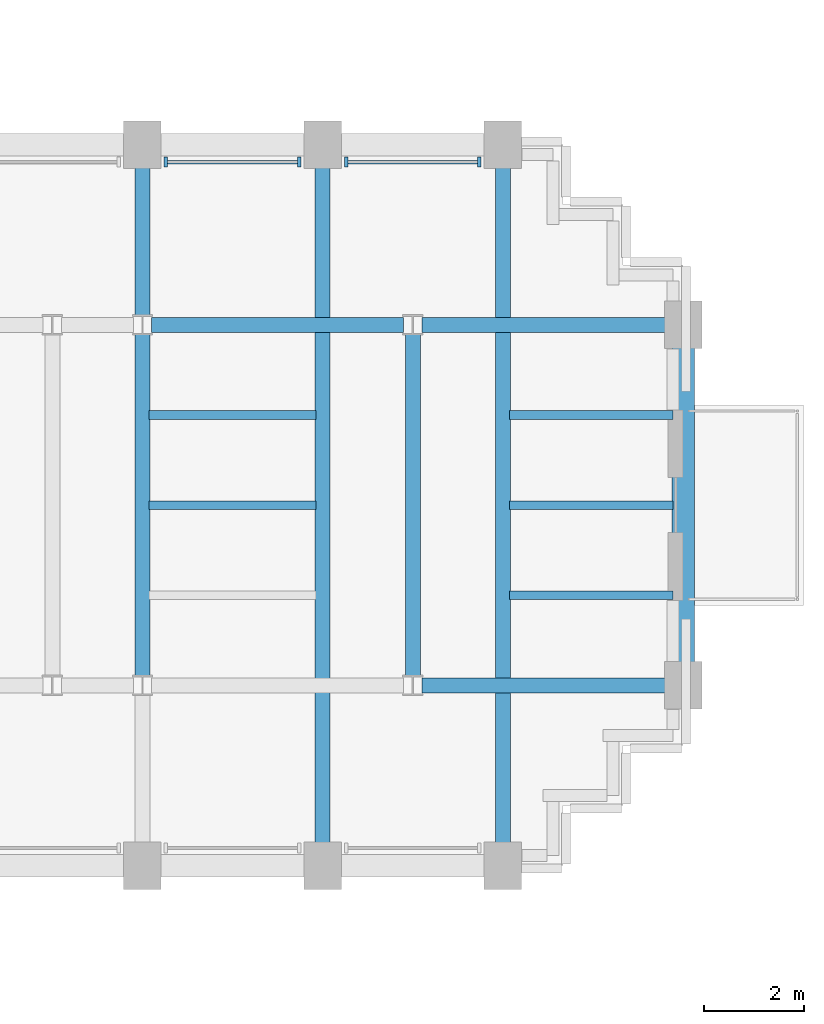
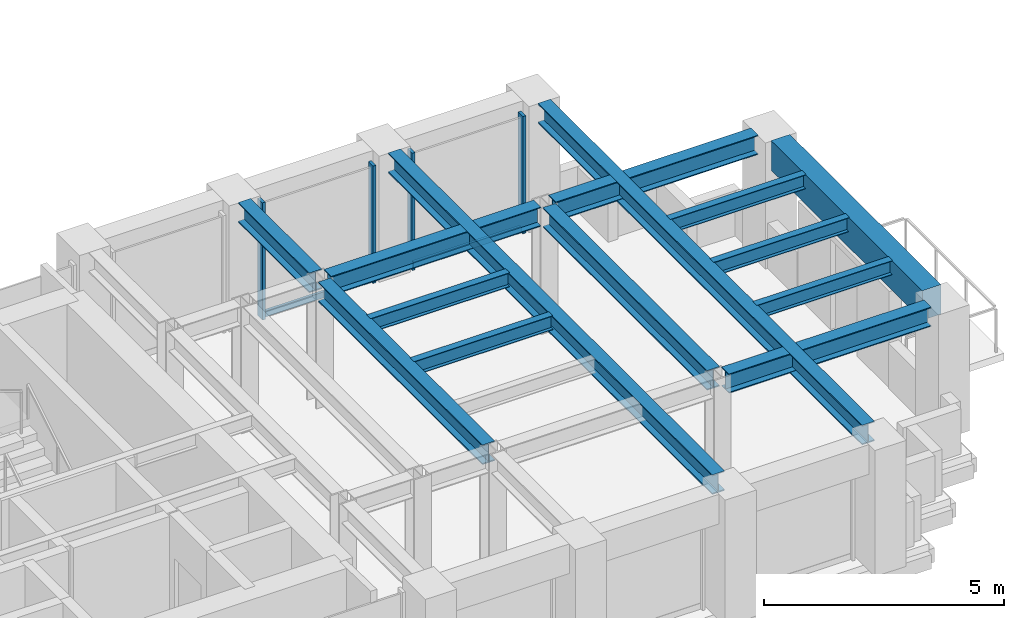
# One storey, part 6 of 15: 14 beams, 6 members, 2 elements without a shape of their own.
"""IFC4 building model written with IfcOpenShell, lengths in metres."""

from ifc_helpers import new_model, si_unit, direction, frame, origin, origin_2d, place, context, subcontext, project, spatial, rectangle, i_section, extrude, source, transform, mapped, material, material_profile, profile_set, type_object, element, aggregate, save


model = new_model("IFC4")

# Units and contexts
model_context = context("Model", 3, precision=1e-05, world=origin(), true_north=direction((0.0, 1.0)))
body_context = subcontext(model_context, "Body", "Model", "MODEL_VIEW")
ifc_project = project(units=[si_unit("LENGTHUNIT", "METRE"), si_unit("AREAUNIT", "SQUARE_METRE"), si_unit("VOLUMEUNIT", "CUBIC_METRE"), si_unit("PLANEANGLEUNIT", "RADIAN"), si_unit("MASSUNIT", "GRAM", prefix="KILO")], contexts=[model_context])

# Site, building, storey
site_placement = place(None, origin())
site = spatial("IfcSite", under=ifc_project, at=site_placement, CompositionType="ELEMENT")
building_placement = place(site_placement, origin())
building = spatial("IfcBuilding", under=site, at=building_placement, Name="Keilestroom Media Tower", CompositionType="ELEMENT")
storey_placement = place(building_placement, frame((0.0, 0.0, 40.800048828125)))
storey = spatial("IfcBuildingStorey", under=building, at=storey_placement, Name="L09", CompositionType="ELEMENT", Elevation=40.800048828125)

# Beams
ifc_material_1 = material(Name="Precast concrete C40/50", Category="concrete")
ifc_material_profile_1 = material_profile(ifc_material_1, rectangle(XDim=0.449951171875, YDim=0.75, at=origin_2d()), Name="PC 450x750")
ifc_profile_set_1 = profile_set([ifc_material_profile_1], Name="Precast concrete C40/50")
beam_type_1 = type_object("IfcBeamType", Name="Perimeter-Spandrel-Beam-PC-450x750", PredefinedType="SPANDREL", material=ifc_profile_set_1)
shared_shape_1 = source(origin(), body_context, "Body", "SweptSolid", [
    extrude(rectangle(XDim=0.449951171875, YDim=0.75, at=origin_2d()), origin(), (0.0, 0.0, 1.0), 6.2900390625),
])
beam_1_placement = place(storey_placement, frame((28.800048828125, -3.14501953125, 2.824951171875), z_axis=(0.0, 1.0, 0.0), x_axis=(-1.0, 0.0, 0.0)))
element("IfcBeam", 1, at=beam_1_placement, inside=storey, type_object=beam_type_1, Name="L09 Beam SPB-1 BM-L09-NS-086", PredefinedType="SPANDREL", context=body_context, shape_type="MappedRepresentation", body=[
    mapped(shared_shape_1, transform((0.0, 0.0, 0.0), x_axis=(1.0, 0.0, 0.0), y_axis=(0.0, 1.0, 0.0), z_axis=(0.0, 0.0, 1.0), scale=1.0)),
])
ifc_material_2 = material(Name="Steel S355", Category="steel")
ifc_material_profile_2 = material_profile(ifc_material_2, i_section(OverallWidth=0.300048828125, OverallDepth=0.5, WebThickness=0.012451171875, FlangeThickness=0.028076171875, at=origin_2d()), Name="HEB 500")
ifc_profile_set_2 = profile_set([ifc_material_profile_2], Name="Steel S355")
beam_type_2 = type_object("IfcBeamType", Name="Primary-Structural-Girder-HEB-500", PredefinedType="BEAM", material=ifc_profile_set_2)
shared_shape_2 = source(origin(), body_context, "Body", "SweptSolid", [
    extrude(i_section(OverallWidth=0.300048828125, OverallDepth=0.5, WebThickness=0.012451171875, FlangeThickness=0.028076171875, at=origin_2d()), origin(), (0.0, 0.0, 1.0), 13.490234375),
])
for number, where, z_axis, x_axis, name in (
    (2, (21.60009765625, -6.7451171875, 2.949951171875), (0.0, 1.0, 0.0), (-1.0, 0.0, 0.0), "L09 Beam BG-6 BM-L09-NS-083"),
    (3, (25.199951171875, -6.7451171875, 2.949951171875), (0.0, 1.0, 0.0), (-1.0, 0.0, 0.0), "L09 Beam BG-6 BM-L09-NS-085"),
):
    element("IfcBeam", number, at=place(storey_placement, frame(where, z_axis=z_axis, x_axis=x_axis)), inside=storey, type_object=beam_type_2, Name=name, PredefinedType="BEAM", context=body_context, shape_type="MappedRepresentation", body=[
        mapped(shared_shape_2, transform((0.0, 0.0, 0.0), x_axis=(1.0, 0.0, 0.0), y_axis=(0.0, 1.0, 0.0), z_axis=(0.0, 0.0, 1.0), scale=1.0)),
    ])
shared_shape_3 = source(origin(), body_context, "Body", "SweptSolid", [
    extrude(i_section(OverallWidth=0.300048828125, OverallDepth=0.5, WebThickness=0.012451171875, FlangeThickness=0.028076171875, at=origin_2d()), origin(), (0.0, 0.0, 1.0), 6.8330078125),
])
for number, where, z_axis, x_axis, name in (
    (4, (18.0, -3.41650390625, 2.949951171875), (0.0, 1.0, 0.0), (-1.0, 0.0, 0.0), "L09 Beam BG-6 BM-L09-NS-081"),
    (5, (23.39990234375, -3.41650390625, 2.949951171875), (0.0, 1.0, 0.0), (-1.0, 0.0, 0.0), "L09 Beam BG-6 BM-L09-NS-084"),
):
    element("IfcBeam", number, at=place(storey_placement, frame(where, z_axis=z_axis, x_axis=x_axis)), inside=storey, type_object=beam_type_2, Name=name, PredefinedType="BEAM", context=body_context, shape_type="MappedRepresentation", body=[
        mapped(shared_shape_3, transform((0.0, 0.0, 0.0), x_axis=(1.0, 0.0, 0.0), y_axis=(0.0, 1.0, 0.0), z_axis=(0.0, 0.0, 1.0), scale=1.0)),
    ])
shared_shape_4 = source(origin(), body_context, "Body", "SweptSolid", [
    extrude(i_section(OverallWidth=0.300048828125, OverallDepth=0.5, WebThickness=0.012451171875, FlangeThickness=0.028076171875, at=origin_2d()), origin(), (0.0, 0.0, 1.0), 2.961669921875),
])
beam_2_placement = place(storey_placement, frame((18.0, 3.783447265625, 2.949951171875), z_axis=(0.0, 1.0, 0.0), x_axis=(-1.0, 0.0, 0.0)))
element("IfcBeam", 6, at=beam_2_placement, inside=storey, type_object=beam_type_2, Name="L09 Beam BG-6 BM-L09-NS-082", PredefinedType="BEAM", context=body_context, shape_type="MappedRepresentation", body=[
    mapped(shared_shape_4, transform((0.0, 0.0, 0.0), x_axis=(1.0, 0.0, 0.0), y_axis=(0.0, 1.0, 0.0), z_axis=(0.0, 0.0, 1.0), scale=1.0)),
])
ifc_material_profile_3 = material_profile(ifc_material_2, i_section(OverallWidth=0.300048828125, OverallDepth=0.489990234375, WebThickness=0.011962890625, FlangeThickness=0.02294921875, at=origin_2d()), Name="HEA 500")
ifc_profile_set_3 = profile_set([ifc_material_profile_3], Name="Steel S355")
beam_type_3 = type_object("IfcBeamType", Name="Primary-Structural-Girder-HEA-500", PredefinedType="BEAM", material=ifc_profile_set_3)
shared_shape_5 = source(origin(), body_context, "Body", "SweptSolid", [
    extrude(i_section(OverallWidth=0.300048828125, OverallDepth=0.489990234375, WebThickness=0.011962890625, FlangeThickness=0.02294921875, at=origin_2d()), origin(), (0.0, 0.0, 1.0), 4.863037109375),
])
for number, where, z_axis, x_axis, name in (
    (7, (23.58203125, -3.60009765625, 2.954833984375), (1.0, 0.0, 0.0), (0.0, 1.0, 0.0), "L09 Beam BG-10 BM-L09-EW-025"),
    (8, (23.58203125, 3.60009765625, 2.954833984375), (1.0, 0.0, 0.0), (0.0, 1.0, 0.0), "L09 Beam BG-10 BM-L09-EW-033"),
):
    element("IfcBeam", number, at=place(storey_placement, frame(where, z_axis=z_axis, x_axis=x_axis)), inside=storey, type_object=beam_type_3, Name=name, PredefinedType="BEAM", context=body_context, shape_type="MappedRepresentation", body=[
        mapped(shared_shape_5, transform((0.0, 0.0, 0.0), x_axis=(1.0, 0.0, 0.0), y_axis=(0.0, 1.0, 0.0), z_axis=(0.0, 0.0, 1.0), scale=1.0)),
    ])
shared_shape_6 = source(origin(), body_context, "Body", "SweptSolid", [
    extrude(i_section(OverallWidth=0.300048828125, OverallDepth=0.489990234375, WebThickness=0.011962890625, FlangeThickness=0.02294921875, at=origin_2d()), origin(), (0.0, 0.0, 1.0), 5.0361328125),
])
beam_3_placement = place(storey_placement, frame((18.181884765625, 3.60009765625, 2.954833984375), z_axis=(1.0, 0.0, 0.0), x_axis=(0.0, 1.0, 0.0)))
element("IfcBeam", 9, at=beam_3_placement, inside=storey, type_object=beam_type_3, Name="L09 Beam BG-10 BM-L09-EW-032", PredefinedType="BEAM", context=body_context, shape_type="MappedRepresentation", body=[
    mapped(shared_shape_6, transform((0.0, 0.0, 0.0), x_axis=(1.0, 0.0, 0.0), y_axis=(0.0, 1.0, 0.0), z_axis=(0.0, 0.0, 1.0), scale=1.0)),
])
ifc_material_profile_4 = material_profile(ifc_material_2, i_section(OverallWidth=0.169921875, OverallDepth=0.360107421875, WebThickness=0.008056640625, FlangeThickness=0.0126953125, at=origin_2d()), Name="IPE 360")
ifc_profile_set_4 = profile_set([ifc_material_profile_4], Name="Steel S355")
beam_type_4 = type_object("IfcBeamType", Name="Secondary-Floor-Joist-IPE-360", PredefinedType="JOIST", material=ifc_profile_set_4)
shared_shape_7 = source(origin(), body_context, "Body", "SweptSolid", [
    extrude(i_section(OverallWidth=0.169921875, OverallDepth=0.360107421875, WebThickness=0.008056640625, FlangeThickness=0.0126953125, at=origin_2d()), origin(), (0.0, 0.0, 1.0), 3.264892578125),
])
for number, where, z_axis, x_axis, name in (
    (10, (25.330078125, -1.800048828125, 3.02001953125), (1.0, 0.0, 0.0), (0.0, 1.0, 0.0), "L09 Beam BJ-5 JST-L09-095"),
    (11, (25.330078125, 0.0, 3.02001953125), (1.0, 0.0, 0.0), (0.0, 1.0, 0.0), "L09 Beam BJ-5 JST-L09-102"),
    (12, (25.330078125, 1.800048828125, 3.02001953125), (1.0, 0.0, 0.0), (0.0, 1.0, 0.0), "L09 Beam BJ-5 JST-L09-109"),
):
    element("IfcBeam", number, at=place(storey_placement, frame(where, z_axis=z_axis, x_axis=x_axis)), inside=storey, type_object=beam_type_4, Name=name, PredefinedType="JOIST", context=body_context, shape_type="MappedRepresentation", body=[
        mapped(shared_shape_7, transform((0.0, 0.0, 0.0), x_axis=(1.0, 0.0, 0.0), y_axis=(0.0, 1.0, 0.0), z_axis=(0.0, 0.0, 1.0), scale=1.0)),
    ])
shared_shape_8 = source(origin(), body_context, "Body", "SweptSolid", [
    extrude(i_section(OverallWidth=0.169921875, OverallDepth=0.360107421875, WebThickness=0.008056640625, FlangeThickness=0.0126953125, at=origin_2d()), origin(), (0.0, 0.0, 1.0), 3.340087890625),
])
for number, where, z_axis, x_axis, name in (
    (13, (18.1298828125, 0.0, 3.02001953125), (1.0, 0.0, 0.0), (0.0, 1.0, 0.0), "L09 Beam BJ-5 JST-L09-101"),
    (14, (18.1298828125, 1.800048828125, 3.02001953125), (1.0, 0.0, 0.0), (0.0, 1.0, 0.0), "L09 Beam BJ-5 JST-L09-108"),
):
    element("IfcBeam", number, at=place(storey_placement, frame(where, z_axis=z_axis, x_axis=x_axis)), inside=storey, type_object=beam_type_4, Name=name, PredefinedType="JOIST", context=body_context, shape_type="MappedRepresentation", body=[
        mapped(shared_shape_8, transform((0.0, 0.0, 0.0), x_axis=(1.0, 0.0, 0.0), y_axis=(0.0, 1.0, 0.0), z_axis=(0.0, 0.0, 1.0), scale=1.0)),
    ])

# Curtain wall, members
ifc_material_3 = material(Name="Anodised Aluminium Alloy", Category="aluminium")
curtain_wall_type = type_object("IfcCurtainWallType", Name="Unitised-Curtain-Wall-CW-1", PredefinedType="NOTDEFINED", material=ifc_material_3)
curtain_wall_1_placement = place(storey_placement, origin())
curtain_wall_1 = element("IfcCurtainWall", 15, at=curtain_wall_1_placement, inside=storey, type_object=curtain_wall_type, Name="L09 Curtain Wall CW-1 CW-L09-NE-3", PredefinedType="NOTDEFINED")
ifc_material_profile_5 = material_profile(ifc_material_3, rectangle(XDim=0.070068359375, YDim=0.199951171875, at=origin_2d()), Name="ALU MULLION 70x200")
ifc_profile_set_5 = profile_set([ifc_material_profile_5], Name="Anodised Aluminium Alloy")
member_type_1 = type_object("IfcMemberType", Name="Curtain-Wall-Mullion-CW-1", PredefinedType="MULLION", material=ifc_profile_set_5)
shared_shape_9 = source(origin(), body_context, "Body", "SweptSolid", [
    extrude(rectangle(XDim=0.070068359375, YDim=0.199951171875, at=origin_2d()), origin(), (0.0, 0.0, 1.0), 2.97998046875),
])
member_1_placement = place(storey_placement, frame((18.469970703125, 6.85009765625, 0.0), z_axis=(0.0, 0.0, 1.0), x_axis=(1.0, 0.0, 0.0)))
member_1 = element("IfcMember", 16, at=member_1_placement, type_object=member_type_1, Name="CW-1 Mullion 00", PredefinedType="MULLION", context=body_context, shape_type="MappedRepresentation", body=[
    mapped(shared_shape_9, transform((0.0, 0.0, 0.0), x_axis=(1.0, 0.0, 0.0), y_axis=(0.0, 1.0, 0.0), z_axis=(0.0, 0.0, 1.0), scale=1.0)),
])
member_2_placement = place(storey_placement, frame((21.1298828125, 6.85009765625, 0.0), z_axis=(0.0, 0.0, 1.0), x_axis=(1.0, 0.0, 0.0)))
member_2 = element("IfcMember", 17, at=member_2_placement, type_object=member_type_1, Name="CW-1 Mullion 01", PredefinedType="MULLION", context=body_context, shape_type="MappedRepresentation", body=[
    mapped(shared_shape_9, transform((0.0, 0.0, 0.0), x_axis=(1.0, 0.0, 0.0), y_axis=(0.0, 1.0, 0.0), z_axis=(0.0, 0.0, 1.0), scale=1.0)),
])

curtain_wall_2_placement = place(storey_placement, origin())
curtain_wall_2 = element("IfcCurtainWall", 18, at=curtain_wall_2_placement, inside=storey, type_object=curtain_wall_type, Name="L09 Curtain Wall CW-1 CW-L09-NE-4", PredefinedType="NOTDEFINED")
member_3_placement = place(storey_placement, frame((22.070068359375, 6.85009765625, 0.0), z_axis=(0.0, 0.0, 1.0), x_axis=(1.0, 0.0, 0.0)))
member_3 = element("IfcMember", 19, at=member_3_placement, type_object=member_type_1, Name="CW-1 Mullion 00", PredefinedType="MULLION", context=body_context, shape_type="MappedRepresentation", body=[
    mapped(shared_shape_9, transform((0.0, 0.0, 0.0), x_axis=(1.0, 0.0, 0.0), y_axis=(0.0, 1.0, 0.0), z_axis=(0.0, 0.0, 1.0), scale=1.0)),
])
member_4_placement = place(storey_placement, frame((24.72998046875, 6.85009765625, 0.0), z_axis=(0.0, 0.0, 1.0), x_axis=(1.0, 0.0, 0.0)))
member_4 = element("IfcMember", 20, at=member_4_placement, type_object=member_type_1, Name="CW-1 Mullion 01", PredefinedType="MULLION", context=body_context, shape_type="MappedRepresentation", body=[
    mapped(shared_shape_9, transform((0.0, 0.0, 0.0), x_axis=(1.0, 0.0, 0.0), y_axis=(0.0, 1.0, 0.0), z_axis=(0.0, 0.0, 1.0), scale=1.0)),
])

# Member
ifc_material_profile_6 = material_profile(ifc_material_3, rectangle(XDim=0.06494140625, YDim=0.14990234375, at=origin_2d()), Name="ALU TRANSOM 65x150")
ifc_profile_set_6 = profile_set([ifc_material_profile_6], Name="Anodised Aluminium Alloy")
member_type_2 = type_object("IfcMemberType", Name="Curtain-Wall-Transom-CW-1", PredefinedType="USERDEFINED", material=ifc_profile_set_6)
shared_shape_10 = source(origin(), body_context, "Body", "SweptSolid", [
    extrude(rectangle(XDim=0.06494140625, YDim=0.14990234375, at=origin_2d()), origin(), (0.0, 0.0, 1.0), 2.593994140625),
])
member_5_placement = place(storey_placement, frame((18.5029296875, 6.85009765625, 0.074951171875), z_axis=(1.0, 0.0, 0.0), x_axis=(0.0, 1.0, 0.0)))
member_5 = element("IfcMember", 21, at=member_5_placement, type_object=member_type_2, Name="CW-1 Transom 00.1", ObjectType="TRANSOM", PredefinedType="USERDEFINED", context=body_context, shape_type="MappedRepresentation", body=[
    mapped(shared_shape_10, transform((0.0, 0.0, 0.0), x_axis=(1.0, 0.0, 0.0), y_axis=(0.0, 1.0, 0.0), z_axis=(0.0, 0.0, 1.0), scale=1.0)),
])

aggregate(curtain_wall_1, [member_1, member_2, member_5])

member_6_placement = place(storey_placement, frame((22.10302734375, 6.85009765625, 0.074951171875), z_axis=(1.0, 0.0, 0.0), x_axis=(0.0, 1.0, 0.0)))
member_6 = element("IfcMember", 22, at=member_6_placement, type_object=member_type_2, Name="CW-1 Transom 00.1", ObjectType="TRANSOM", PredefinedType="USERDEFINED", context=body_context, shape_type="MappedRepresentation", body=[
    mapped(shared_shape_10, transform((0.0, 0.0, 0.0), x_axis=(1.0, 0.0, 0.0), y_axis=(0.0, 1.0, 0.0), z_axis=(0.0, 0.0, 1.0), scale=1.0)),
])

aggregate(curtain_wall_2, [member_3, member_4, member_6])

save(model, "model.ifc")
